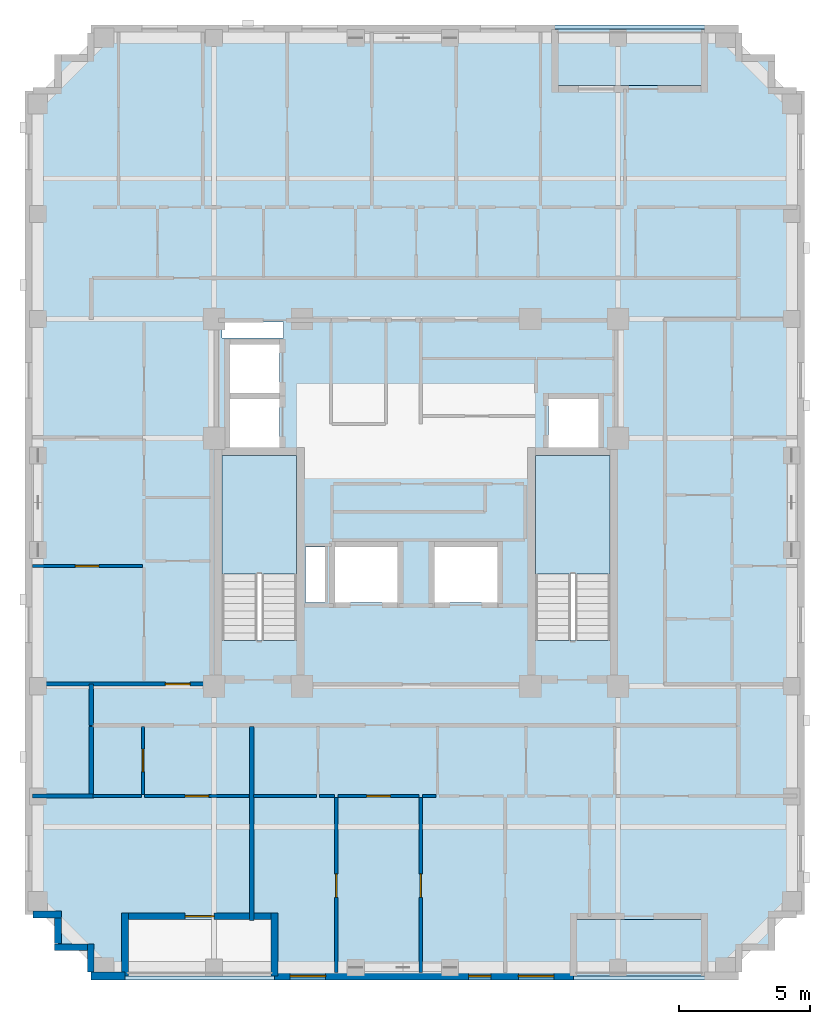
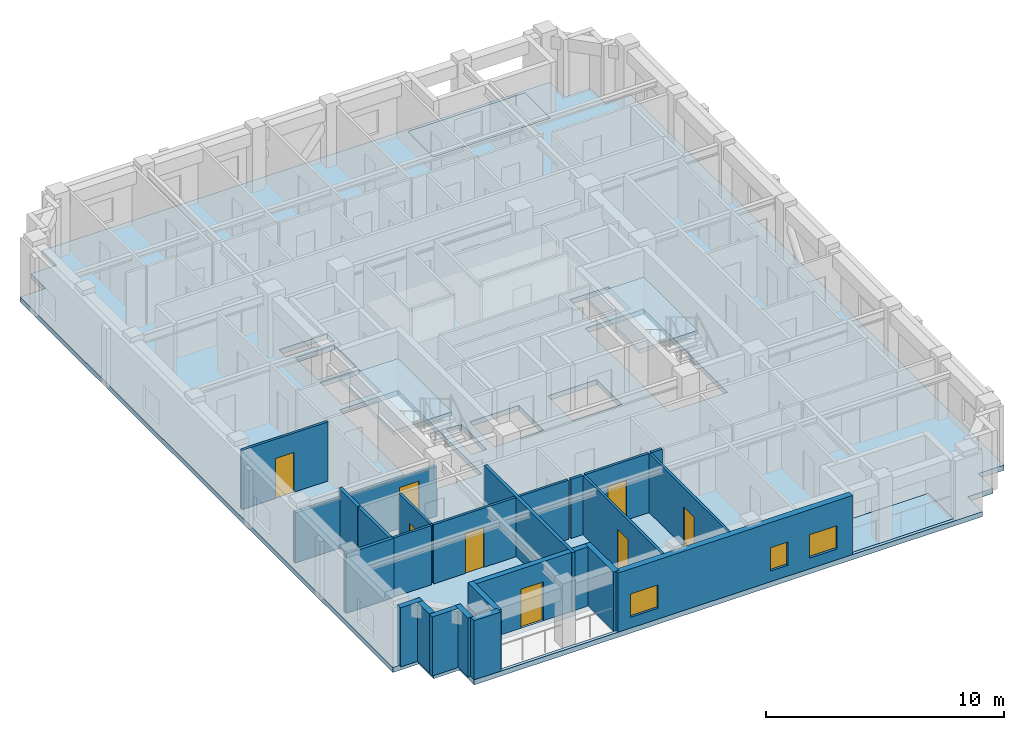
# One storey, part 2 of 11: 24 walls, 8 doors, 5 slabs, 3 windows, 11 openings, 2 elements without a shape of their own.
"""IFC4 building model written with IfcOpenShell, lengths in metres."""

from ifc_helpers import new_model, si_unit, derived_unit, direction, frame, frame_2d, origin, place, context, subcontext, project, spatial, polyline, rectangle, outline, extrude, material, layer, layer_set, type_object, element, fill, aggregate, save


model = new_model("IFC4")

# Units and contexts
model_context = context("Model", 3, precision=1e-05, world=origin(), true_north=direction((0.0, 1.0)))
body_context = subcontext(model_context, "Body", "Model", "MODEL_VIEW")
ifc_project = project(units=[si_unit("LENGTHUNIT", "METRE"), si_unit("AREAUNIT", "SQUARE_METRE"), si_unit("VOLUMEUNIT", "CUBIC_METRE"), si_unit("PLANEANGLEUNIT", "RADIAN"), si_unit("MASSUNIT", "GRAM", prefix="KILO"), derived_unit("THERMALTRANSMITTANCEUNIT", [(si_unit("MASSUNIT", "GRAM", prefix="KILO"), 1), (si_unit("TIMEUNIT", "SECOND"), -3), (si_unit("THERMODYNAMICTEMPERATUREUNIT", "KELVIN"), -1)])], contexts=[model_context])

# Site, building, storey
site_placement = place(None, origin())
site = spatial("IfcSite", under=ifc_project, at=site_placement, CompositionType="ELEMENT")
building_placement = place(site_placement, origin())
building = spatial("IfcBuilding", under=site, at=building_placement, Name="Korrvale Station Residences", CompositionType="ELEMENT")
storey_placement = place(building_placement, frame((0.0, 0.0, 197.5)))
storey = spatial("IfcBuildingStorey", under=building, at=storey_placement, Name="L57", CompositionType="ELEMENT", Elevation=197.5)

# Slabs
ifc_material_1 = material(Name="Concrete C50/60", Category="concrete")
ifc_layer_1 = layer(ifc_material_1, 0.219970703125, Name="Concrete C50/60")
ifc_layer_set_1 = layer_set([ifc_layer_1], Name="Concrete C50/60")
slab_type_1 = type_object("IfcSlabType", Name="SLB-BAL-220", PredefinedType="FLOOR", material=ifc_layer_set_1)
slab_1_placement = place(storey_placement, frame((0.0, 0.0, -0.219970703125)))
element("IfcSlab", 1, at=slab_1_placement, inside=storey, type_object=slab_type_1, Name="L57 Recessed Loggia Balcony Slab BAL-L57-N1", PredefinedType="FLOOR", context=body_context, shape_type="SweptSolid", body=[
    extrude(outline(polyline([(30.800048828125, 37.89990234375), (36.5, 37.89990234375), (36.5, 40.050048828125), (30.800048828125, 40.050048828125), (30.800048828125, 37.89990234375)])), origin(), (0.0, 0.0, 1.0), 0.219970703125),
])
slab_2_placement = place(storey_placement, frame((0.0, 0.0, -0.219970703125)))
element("IfcSlab", 2, at=slab_2_placement, inside=storey, type_object=slab_type_1, Name="L57 Recessed Loggia Balcony Slab BAL-L57-S2", PredefinedType="FLOOR", context=body_context, shape_type="SweptSolid", body=[
    extrude(outline(polyline([(31.5, 3.949951171875), (36.5, 3.949951171875), (36.5, 6.10009765625), (31.5, 6.10009765625), (31.5, 3.949951171875)])), origin(), (0.0, 0.0, 1.0), 0.219970703125),
])
ifc_layer_2 = layer(ifc_material_1, 0.260009765625, Name="Concrete C50/60")
ifc_layer_set_2 = layer_set([ifc_layer_2], Name="Concrete C50/60")
slab_type_2 = type_object("IfcSlabType", Name="SLB-FLR-260", PredefinedType="FLOOR", material=ifc_layer_set_2)
slab_3_placement = place(storey_placement, frame((0.0, 0.0, -0.260009765625)))
element("IfcSlab", 3, at=slab_3_placement, inside=storey, type_object=slab_type_2, Name="L57 Suspended Structural Floor Slab", PredefinedType="FLOOR", context=body_context, shape_type="SweptSolid", body=[
    extrude(outline(polyline([(13.10009765625, 3.800048828125), (37.800048828125, 3.800048828125), (37.800048828125, 5.050048828125), (39.050048828125, 5.050048828125), (39.050048828125, 6.300048828125), (40.300048828125, 6.300048828125), (40.300048828125, 37.699951171875), (39.050048828125, 37.699951171875), (39.050048828125, 38.949951171875), (37.800048828125, 38.949951171875), (37.800048828125, 40.199951171875), (13.10009765625, 40.199951171875), (13.10009765625, 38.949951171875), (11.85009765625, 38.949951171875), (11.85009765625, 37.699951171875), (10.60009765625, 37.699951171875), (10.60009765625, 6.300048828125), (11.85009765625, 6.300048828125), (11.85009765625, 5.050048828125), (13.10009765625, 5.050048828125), (13.10009765625, 3.800048828125)]), holes=[polyline([(20.949951171875, 16.751953125), (20.949951171875, 23.800048828125), (18.10009765625, 23.800048828125), (18.10009765625, 16.751953125), (20.949951171875, 16.751953125)]), polyline([(32.89990234375, 16.751953125), (32.89990234375, 23.800048828125), (30.050048828125, 23.800048828125), (30.050048828125, 16.751953125), (32.89990234375, 16.751953125)]), polyline([(18.39990234375, 24.10009765625), (20.300048828125, 24.10009765625), (20.300048828125, 25.949951171875), (18.39990234375, 25.949951171875), (18.39990234375, 24.10009765625)]), polyline([(18.39990234375, 26.169921875), (20.300048828125, 26.169921875), (20.300048828125, 28.02001953125), (18.39990234375, 28.02001953125), (18.39990234375, 26.169921875)]), polyline([(30.550048828125, 24.10009765625), (32.449951171875, 24.10009765625), (32.449951171875, 25.949951171875), (30.550048828125, 25.949951171875), (30.550048828125, 24.10009765625)]), polyline([(22.39990234375, 18.199951171875), (24.800048828125, 18.199951171875), (24.800048828125, 20.300048828125), (22.39990234375, 20.300048828125), (22.39990234375, 18.199951171875)]), polyline([(26.199951171875, 18.199951171875), (28.60009765625, 18.199951171875), (28.60009765625, 20.300048828125), (26.199951171875, 20.300048828125), (26.199951171875, 18.199951171875)]), polyline([(18.10009765625, 28.280029296875), (20.449951171875, 28.280029296875), (20.449951171875, 28.8798828125), (18.10009765625, 28.8798828125), (18.10009765625, 28.280029296875)]), polyline([(21.280029296875, 18.199951171875), (22.02001953125, 18.199951171875), (22.02001953125, 20.300048828125), (21.280029296875, 20.300048828125), (21.280029296875, 18.199951171875)]), polyline([(14.39990234375, 3.949951171875), (20.10009765625, 3.949951171875), (20.10009765625, 6.10009765625), (14.39990234375, 6.10009765625), (14.39990234375, 3.949951171875)]), polyline([(30.800048828125, 37.89990234375), (36.5, 37.89990234375), (36.5, 40.050048828125), (30.800048828125, 40.050048828125), (30.800048828125, 37.89990234375)]), polyline([(31.5, 3.949951171875), (36.5, 3.949951171875), (36.5, 6.10009765625), (31.5, 6.10009765625), (31.5, 3.949951171875)])]), origin(), (0.0, 0.0, 1.0), 0.260009765625),
])

# Stair, slab
stair_type = type_object("IfcStairType", Name="STR-DL-1350-20R-1650", PredefinedType="HALF_TURN_STAIR", material=ifc_material_1)
stair_1_placement = place(storey_placement, origin())
stair_1 = element("IfcStair", 4, at=stair_1_placement, inside=storey, type_object=stair_type, Name="L57 Exit Stair 1", PredefinedType="HALF_TURN_STAIR")
ifc_layer_3 = layer(ifc_material_1, 0.199951171875, Name="Concrete C50/60")
ifc_layer_set_3 = layer_set([ifc_layer_3], Name="Concrete C50/60")
slab_type_3 = type_object("IfcSlabType", Name="SLB-LND-200", PredefinedType="LANDING", material=ifc_layer_set_3)
slab_4_placement = place(storey_placement, frame((0.0, 0.0, 1.449951171875)))
slab_4 = element("IfcSlab", 5, at=slab_4_placement, type_object=slab_type_3, Name="ST-1 landing 1", PredefinedType="LANDING", context=body_context, shape_type="SweptSolid", body=[
    extrude(outline(polyline([(20.949951171875, 19.27001953125), (20.949951171875, 23.800048828125), (18.10009765625, 23.800048828125), (18.10009765625, 19.27001953125), (20.949951171875, 19.27001953125)])), origin(), (0.0, 0.0, 1.0), 0.199951171875),
])
aggregate(stair_1, [slab_4])

stair_2_placement = place(storey_placement, origin())
stair_2 = element("IfcStair", 6, at=stair_2_placement, inside=storey, type_object=stair_type, Name="L57 Exit Stair 2", PredefinedType="HALF_TURN_STAIR")
slab_5_placement = place(storey_placement, frame((0.0, 0.0, 1.449951171875)))
slab_5 = element("IfcSlab", 7, at=slab_5_placement, type_object=slab_type_3, Name="ST-2 landing 1", PredefinedType="LANDING", context=body_context, shape_type="SweptSolid", body=[
    extrude(outline(polyline([(32.89990234375, 19.27001953125), (32.89990234375, 23.800048828125), (30.050048828125, 23.800048828125), (30.050048828125, 19.27001953125), (32.89990234375, 19.27001953125)])), origin(), (0.0, 0.0, 1.0), 0.199951171875),
])
aggregate(stair_2, [slab_5])

# Wall
ifc_material_2 = material(Name="Precast concrete C45/55", Category="concrete")
ifc_layer_4 = layer(ifc_material_2, 0.260009765625, Name="Precast concrete C45/55")
ifc_layer_set_4 = layer_set([ifc_layer_4], Name="Precast concrete C45/55")
wall_type_1 = type_object("IfcWallType", Name="WAL-EXT-LOG260", PredefinedType="SOLIDWALL", material=ifc_layer_set_4)
wall_1_placement = place(storey_placement, frame((20.10009765625, 3.9599609375, 0.0), z_axis=(0.0, 0.0, 1.0), x_axis=(0.0, 1.0, 0.0)))
element("IfcWall", 8, at=wall_1_placement, inside=storey, type_object=wall_type_1, Name="L57 Recessed Loggia Wall BAL-L57-S1-L", PredefinedType="SOLIDWALL", context=body_context, shape_type="SweptSolid", body=[
    extrude(rectangle(XDim=2.400146484375, YDim=0.260009765625, at=frame_2d((1.2001953125, 0.0))), origin(), (0.0, 0.0, 1.0), 3.0400390625),
])

# Wall, opening, door
wall_2_placement = place(storey_placement, frame((19.966064453125, 6.22998046875, 0.0), z_axis=(0.0, 0.0, 1.0), x_axis=(-1.0, 0.0, 0.0)))
wall_2 = element("IfcWall", 9, at=wall_2_placement, inside=storey, type_object=wall_type_1, Name="L57 Recessed Loggia Wall BAL-L57-S1-B", PredefinedType="SOLIDWALL", context=body_context, shape_type="SweptSolid", body=[
    extrude(rectangle(XDim=5.43212890625, YDim=0.260009765625, at=frame_2d((2.716064453125, 0.0))), origin(), (0.0, 0.0, 1.0), 3.0400390625),
])
opening_1_placement = place(wall_2_placement, frame((2.166015625, 0.0, 0.0)))
opening_1 = element("IfcOpeningElement", 10, at=opening_1_placement, cuts=wall_2, Name="Opening BD-01", PredefinedType="OPENING", context=body_context, shape_type="SweptSolid", body=[
    extrude(rectangle(XDim=1.10009765625, YDim=2.0, at=frame_2d((0.550048828125, 1.0))), frame((0.0, 0.14013671875, 0.0), z_axis=(0.0, -1.0, 0.0), x_axis=(1.0, 0.0, 0.0)), (0.0, 0.0, 1.0), 0.280029296875),
])
ifc_material_3 = material(Name="Exterior thermally broken aluminium glazed balcony door", Category="aluminium")
door_type_1 = type_object("IfcDoorType", Name="DR-EXT-BAL", OperationType="NOTDEFINED", PredefinedType="DOOR", material=ifc_material_3)
door_1_placement = place(opening_1_placement, origin())
door_1 = element("IfcDoor", 11, at=door_1_placement, inside=storey, type_object=door_type_1, Name="L57 Loggia Balcony Door BAL-L57-S1", OperationType="SINGLE_SWING_LEFT", OverallHeight=2.0, OverallWidth=1.10009765625, PredefinedType="DOOR", context=body_context, shape_type="SweptSolid", body=[
    extrude(rectangle(XDim=1.10009765625, YDim=2.0, at=frame_2d((0.550048828125, 1.0))), frame((0.0, 0.02490234375, 0.0), z_axis=(0.0, -1.0, 0.0), x_axis=(1.0, 0.0, 0.0)), (0.0, 0.0, 1.0), 0.050048828125),
])
fill(opening_1, door_1)

# Walls
wall_3_placement = place(storey_placement, frame((14.39990234375, 6.360107421875, 0.0), z_axis=(0.0, 0.0, 1.0), x_axis=(0.0, -1.0, 0.0)))
element("IfcWall", 12, at=wall_3_placement, inside=storey, type_object=wall_type_1, Name="L57 Recessed Loggia Wall BAL-L57-S1-R", PredefinedType="SOLIDWALL", context=body_context, shape_type="SweptSolid", body=[
    extrude(rectangle(XDim=2.400146484375, YDim=0.260009765625, at=frame_2d((1.2001953125, 0.0))), origin(), (0.0, 0.0, 1.0), 3.0400390625),
])
wall_4_placement = place(storey_placement, frame((13.10009765625, 4.10205078125, 0.0), z_axis=(0.0, 0.0, 1.0), x_axis=(0.0, 1.0, 0.0)))
element("IfcWall", 13, at=wall_4_placement, inside=storey, type_object=wall_type_1, Name="L57 Serrated Corner Precast Step SW-1", PredefinedType="SOLIDWALL", context=body_context, shape_type="SweptSolid", body=[
    extrude(rectangle(XDim=1.077880859375, YDim=0.260009765625, at=frame_2d((0.5390625, 0.0))), origin(), (0.0, 0.0, 1.0), 3.0400390625),
])
wall_5_placement = place(storey_placement, frame((12.968017578125, 5.050048828125, 0.0), z_axis=(0.0, 0.0, 1.0), x_axis=(-1.0, 0.0, 0.0)))
element("IfcWall", 14, at=wall_5_placement, inside=storey, type_object=wall_type_1, Name="L57 Serrated Corner Precast Step SW-2", PredefinedType="SOLIDWALL", context=body_context, shape_type="SweptSolid", body=[
    extrude(rectangle(XDim=1.248046875, YDim=0.260009765625, at=frame_2d((0.6240234375, 0.0))), origin(), (0.0, 0.0, 1.0), 3.0400390625),
])
wall_6_placement = place(storey_placement, frame((11.85009765625, 5.181884765625, 0.0), z_axis=(0.0, 0.0, 1.0), x_axis=(0.0, 1.0, 0.0)))
element("IfcWall", 15, at=wall_6_placement, inside=storey, type_object=wall_type_1, Name="L57 Serrated Corner Precast Step SW-3", PredefinedType="SOLIDWALL", context=body_context, shape_type="SweptSolid", body=[
    extrude(rectangle(XDim=0.986083984375, YDim=0.260009765625, at=frame_2d((0.4931640625, 0.0))), origin(), (0.0, 0.0, 1.0), 3.0400390625),
])
wall_7_placement = place(storey_placement, frame((11.97998046875, 6.300048828125, 0.0), z_axis=(0.0, 0.0, 1.0), x_axis=(-1.0, 0.0, 0.0)))
element("IfcWall", 16, at=wall_7_placement, inside=storey, type_object=wall_type_1, Name="L57 Serrated Corner Precast Step SW-4", PredefinedType="SOLIDWALL", context=body_context, shape_type="SweptSolid", body=[
    extrude(rectangle(XDim=1.077880859375, YDim=0.260009765625, at=frame_2d((0.5390625, 0.0))), origin(), (0.0, 0.0, 1.0), 3.0400390625),
])

# Wall, openings, windows
ifc_layer_5 = layer(ifc_material_2, 0.300048828125, Name="Precast concrete C45/55")
ifc_layer_set_5 = layer_set([ifc_layer_5], Name="Precast concrete C45/55")
wall_type_2 = type_object("IfcWallType", Name="WAL-EXT-PC300", PredefinedType="SOLIDWALL", material=ifc_layer_set_5)
wall_8_placement = place(storey_placement, frame((31.5, 3.949951171875, 0.0), z_axis=(0.0, 0.0, 1.0), x_axis=(-1.0, 0.0, 0.0)))
wall_8 = element("IfcWall", 17, at=wall_8_placement, inside=storey, type_object=wall_type_2, Name="L57 South Exterior Precast Wall 2", PredefinedType="SOLIDWALL", context=body_context, shape_type="SweptSolid", body=[
    extrude(rectangle(XDim=11.39990234375, YDim=0.300048828125, at=frame_2d((5.699951171875, 0.0))), origin(), (0.0, 0.0, 1.0), 3.0400390625),
])
opening_2_placement = place(wall_8_placement, frame((9.449951171875, 0.0, 0.550048828125)))
opening_2 = element("IfcOpeningElement", 18, at=opening_2_placement, cuts=wall_8, Name="Opening W-10", PredefinedType="OPENING", context=body_context, shape_type="SweptSolid", body=[
    extrude(rectangle(XDim=1.35009765625, YDim=1.199951171875, at=frame_2d((0.675048828125, 0.60009765625))), frame((0.0, 0.16015625, 0.0), z_axis=(0.0, -1.0, 0.0), x_axis=(1.0, 0.0, 0.0)), (0.0, 0.0, 1.0), 0.320068359375),
])
opening_3_placement = place(wall_8_placement, frame((3.14990234375, 0.0, 0.550048828125)))
opening_3 = element("IfcOpeningElement", 19, at=opening_3_placement, cuts=wall_8, Name="Opening W-11", PredefinedType="OPENING", context=body_context, shape_type="SweptSolid", body=[
    extrude(rectangle(XDim=0.85009765625, YDim=1.199951171875, at=frame_2d((0.425048828125, 0.60009765625))), frame((0.0, 0.16015625, 0.0), z_axis=(0.0, -1.0, 0.0), x_axis=(1.0, 0.0, 0.0)), (0.0, 0.0, 1.0), 0.320068359375),
])
opening_4_placement = place(wall_8_placement, frame((0.75, 0.0, 0.550048828125)))
opening_4 = element("IfcOpeningElement", 20, at=opening_4_placement, cuts=wall_8, Name="Opening W-10", PredefinedType="OPENING", context=body_context, shape_type="SweptSolid", body=[
    extrude(rectangle(XDim=1.35009765625, YDim=1.199951171875, at=frame_2d((0.675048828125, 0.60009765625))), frame((0.0, 0.16015625, 0.0), z_axis=(0.0, -1.0, 0.0), x_axis=(1.0, 0.0, 0.0)), (0.0, 0.0, 1.0), 0.320068359375),
])
ifc_material_4 = material(Name="Thermally broken aluminium frame with triple low-e glazing", Category="aluminium")
window_type_1 = type_object("IfcWindowType", Name="WIN-W10", PartitioningType="SINGLE_PANEL", PredefinedType="WINDOW", material=ifc_material_4)
window_1_placement = place(opening_2_placement, origin())
window_1 = element("IfcWindow", 21, at=window_1_placement, inside=storey, type_object=window_type_1, Name="L57 Punched Window 02", OverallHeight=1.199951171875, OverallWidth=1.35009765625, PartitioningType="SINGLE_PANEL", PredefinedType="WINDOW", context=body_context, shape_type="SweptSolid", body=[
    extrude(rectangle(XDim=1.35009765625, YDim=1.199951171875, at=frame_2d((0.675048828125, 0.60009765625))), frame((0.0, 0.030029296875, 0.0), z_axis=(0.0, -1.0, 0.0), x_axis=(1.0, 0.0, 0.0)), (0.0, 0.0, 1.0), 0.06005859375),
])
fill(opening_2, window_1)
window_2_placement = place(opening_4_placement, origin())
window_2 = element("IfcWindow", 22, at=window_2_placement, inside=storey, type_object=window_type_1, Name="L57 Punched Window 04", OverallHeight=1.199951171875, OverallWidth=1.35009765625, PartitioningType="SINGLE_PANEL", PredefinedType="WINDOW", context=body_context, shape_type="SweptSolid", body=[
    extrude(rectangle(XDim=1.35009765625, YDim=1.199951171875, at=frame_2d((0.675048828125, 0.60009765625))), frame((0.0, 0.030029296875, 0.0), z_axis=(0.0, -1.0, 0.0), x_axis=(1.0, 0.0, 0.0)), (0.0, 0.0, 1.0), 0.06005859375),
])
fill(opening_4, window_2)
window_type_2 = type_object("IfcWindowType", Name="WIN-W11", PartitioningType="SINGLE_PANEL", PredefinedType="WINDOW", material=ifc_material_4)
window_3_placement = place(opening_3_placement, origin())
window_3 = element("IfcWindow", 23, at=window_3_placement, inside=storey, type_object=window_type_2, Name="L57 Punched Window 03", OverallHeight=1.199951171875, OverallWidth=0.85009765625, PartitioningType="SINGLE_PANEL", PredefinedType="WINDOW", context=body_context, shape_type="SweptSolid", body=[
    extrude(rectangle(XDim=0.85009765625, YDim=1.199951171875, at=frame_2d((0.425048828125, 0.60009765625))), frame((0.0, 0.030029296875, 0.0), z_axis=(0.0, -1.0, 0.0), x_axis=(1.0, 0.0, 0.0)), (0.0, 0.0, 1.0), 0.06005859375),
])
fill(opening_3, window_3)

# Wall
wall_9_placement = place(storey_placement, frame((14.39990234375, 3.949951171875, 0.0), z_axis=(0.0, 0.0, 1.0), x_axis=(-1.0, 0.0, 0.0)))
element("IfcWall", 24, at=wall_9_placement, inside=storey, type_object=wall_type_2, Name="L57 South Exterior Precast Wall 3", PredefinedType="SOLIDWALL", context=body_context, shape_type="SweptSolid", body=[
    extrude(rectangle(XDim=1.2998046875, YDim=0.300048828125, at=frame_2d((0.64990234375, 0.0))), origin(), (0.0, 0.0, 1.0), 3.0400390625),
])

# Wall, opening, door
ifc_material_5 = material(Name="Acoustic steel-stud gypsum board partition", Category="steel")
ifc_layer_6 = layer(ifc_material_5, 0.1201171875, Name="Acoustic steel-stud gypsum board partition")
ifc_layer_set_6 = layer_set([ifc_layer_6], Name="Acoustic steel-stud gypsum board partition")
wall_type_3 = type_object("IfcWallType", Name="WAL-PART-125", PredefinedType="PARTITIONING", material=ifc_layer_set_6)
wall_10_placement = place(storey_placement, frame((15.090087890625, 10.8701171875, 0.0), z_axis=(0.0, 0.0, 1.0), x_axis=(0.0, 1.0, 0.0)))
wall_10 = element("IfcWall", 25, at=wall_10_placement, inside=storey, type_object=wall_type_3, Name="L57 Suite Partition U01-V01", PredefinedType="PARTITIONING", context=body_context, shape_type="SweptSolid", body=[
    extrude(rectangle(XDim=2.599853515625, YDim=0.1201171875, at=frame_2d((1.2998046875, 0.0))), origin(), (0.0, 0.0, 1.0), 3.0400390625),
])
opening_5_placement = place(wall_10_placement, frame((0.8701171875, 0.0, 0.0)))
opening_5 = element("IfcOpeningElement", 26, at=opening_5_placement, cuts=wall_10, Name="Opening DB-860", PredefinedType="OPENING", context=body_context, shape_type="SweptSolid", body=[
    extrude(rectangle(XDim=0.860107421875, YDim=2.050048828125, at=frame_2d((0.43017578125, 1.02490234375))), frame((0.0, 0.070068359375, 0.0), z_axis=(0.0, -1.0, 0.0), x_axis=(1.0, 0.0, 0.0)), (0.0, 0.0, 1.0), 0.14013671875),
])
ifc_material_6 = material(Name="Moisture-resistant solid-core bathroom door", Category="timber")
door_type_2 = type_object("IfcDoorType", Name="DR-BATH-860", OperationType="NOTDEFINED", PredefinedType="DOOR", material=ifc_material_6)
door_2_placement = place(opening_5_placement, origin())
door_2 = element("IfcDoor", 27, at=door_2_placement, inside=storey, type_object=door_type_2, Name="L57 Studio Apartment L57-U01 Bathroom Door", OperationType="SINGLE_SWING_RIGHT", OverallHeight=2.050048828125, OverallWidth=0.860107421875, PredefinedType="DOOR", context=body_context, shape_type="SweptSolid", body=[
    extrude(rectangle(XDim=0.860107421875, YDim=2.050048828125, at=frame_2d((0.43017578125, 1.02490234375))), frame((0.0, 0.02490234375, 0.0), z_axis=(0.0, -1.0, 0.0), x_axis=(1.0, 0.0, 0.0)), (0.0, 0.0, 1.0), 0.050048828125),
])
fill(opening_5, door_2)

# Wall
wall_11_placement = place(storey_placement, frame((13.179931640625, 10.81005859375, 0.0), z_axis=(0.0, 0.0, 1.0), x_axis=(1.0, 0.0, 0.0)))
element("IfcWall", 28, at=wall_11_placement, inside=storey, type_object=wall_type_3, Name="L57 Suite Partition U01-H02", PredefinedType="PARTITIONING", context=body_context, shape_type="SweptSolid", body=[
    extrude(rectangle(XDim=1.85009765625, YDim=0.1201171875, at=frame_2d((0.925048828125, 0.0))), origin(), (0.0, 0.0, 1.0), 3.0400390625),
])

# Wall, opening, door
wall_12_placement = place(storey_placement, frame((15.14990234375, 10.81005859375, 0.0), z_axis=(0.0, 0.0, 1.0), x_axis=(1.0, 0.0, 0.0)))
wall_12 = element("IfcWall", 29, at=wall_12_placement, inside=storey, type_object=wall_type_3, Name="L57 Suite Partition U01-H12", PredefinedType="PARTITIONING", context=body_context, shape_type="SweptSolid", body=[
    extrude(rectangle(XDim=3.989013671875, YDim=0.1201171875, at=frame_2d((1.99462890625, 0.0))), origin(), (0.0, 0.0, 1.0), 3.0400390625),
])
opening_6_placement = place(wall_12_placement, frame((1.5439453125, 0.0, 0.0)))
opening_6 = element("IfcOpeningElement", 30, at=opening_6_placement, cuts=wall_12, Name="Opening DI-900", PredefinedType="OPENING", context=body_context, shape_type="SweptSolid", body=[
    extrude(rectangle(XDim=0.89990234375, YDim=2.050048828125, at=frame_2d((0.449951171875, 1.02490234375))), frame((0.0, 0.070068359375, 0.0), z_axis=(0.0, -1.0, 0.0), x_axis=(1.0, 0.0, 0.0)), (0.0, 0.0, 1.0), 0.14013671875),
])
ifc_material_7 = material(Name="Painted solid-core timber interior room door", Category="wood")
door_type_3 = type_object("IfcDoorType", Name="DR-INT-900", OperationType="NOTDEFINED", PredefinedType="DOOR", material=ifc_material_7)
door_3_placement = place(opening_6_placement, origin())
door_3 = element("IfcDoor", 31, at=door_3_placement, inside=storey, type_object=door_type_3, Name="L57 Studio Apartment L57-U01 Kitchen Door", OperationType="SINGLE_SWING_LEFT", OverallHeight=2.050048828125, OverallWidth=0.89990234375, PredefinedType="DOOR", context=body_context, shape_type="SweptSolid", body=[
    extrude(rectangle(XDim=0.89990234375, YDim=2.050048828125, at=frame_2d((0.449951171875, 1.02490234375))), frame((0.0, 0.02490234375, 0.0), z_axis=(0.0, -1.0, 0.0), x_axis=(1.0, 0.0, 0.0)), (0.0, 0.0, 1.0), 0.050048828125),
])
fill(opening_6, door_3)

# Walls
wall_13_placement = place(storey_placement, frame((19.299072265625, 10.81005859375, 0.0), z_axis=(0.0, 0.0, 1.0), x_axis=(1.0, 0.0, 0.0)))
element("IfcWall", 32, at=wall_13_placement, inside=storey, type_object=wall_type_3, Name="L57 Suite Partition U02-H05", PredefinedType="PARTITIONING", context=body_context, shape_type="SweptSolid", body=[
    extrude(rectangle(XDim=2.39990234375, YDim=0.1201171875, at=frame_2d((1.199951171875, 0.0))), origin(), (0.0, 0.0, 1.0), 3.0400390625),
])
wall_14_placement = place(storey_placement, frame((21.819091796875, 10.81005859375, 0.0), z_axis=(0.0, 0.0, 1.0), x_axis=(1.0, 0.0, 0.0)))
element("IfcWall", 33, at=wall_14_placement, inside=storey, type_object=wall_type_3, Name="L57 Suite Partition U02-H15", PredefinedType="PARTITIONING", context=body_context, shape_type="SweptSolid", body=[
    extrude(rectangle(XDim=0.579833984375, YDim=0.1201171875, at=frame_2d((0.2900390625, 0.0))), origin(), (0.0, 0.0, 1.0), 3.0400390625),
])

# Wall, opening, door
wall_15_placement = place(storey_placement, frame((22.51904296875, 10.81005859375, 0.0), z_axis=(0.0, 0.0, 1.0), x_axis=(1.0, 0.0, 0.0)))
wall_15 = element("IfcWall", 34, at=wall_15_placement, inside=storey, type_object=wall_type_3, Name="L57 Suite Partition U02-H16", PredefinedType="PARTITIONING", context=body_context, shape_type="SweptSolid", body=[
    extrude(rectangle(XDim=3.099853515625, YDim=0.1201171875, at=frame_2d((1.5498046875, 0.0))), origin(), (0.0, 0.0, 1.0), 3.0400390625),
])
opening_7_placement = place(wall_15_placement, frame((1.10009765625, 0.0, 0.0)))
opening_7 = element("IfcOpeningElement", 35, at=opening_7_placement, cuts=wall_15, Name="Opening DI-900", PredefinedType="OPENING", context=body_context, shape_type="SweptSolid", body=[
    extrude(rectangle(XDim=0.89990234375, YDim=2.050048828125, at=frame_2d((0.449951171875, 1.02490234375))), frame((0.0, 0.070068359375, 0.0), z_axis=(0.0, -1.0, 0.0), x_axis=(1.0, 0.0, 0.0)), (0.0, 0.0, 1.0), 0.14013671875),
])
door_4_placement = place(opening_7_placement, origin())
door_4 = element("IfcDoor", 36, at=door_4_placement, inside=storey, type_object=door_type_3, Name="L57 Studio Apartment L57-U02 Kitchen Door", OperationType="SINGLE_SWING_RIGHT", OverallHeight=2.050048828125, OverallWidth=0.89990234375, PredefinedType="DOOR", context=body_context, shape_type="SweptSolid", body=[
    extrude(rectangle(XDim=0.89990234375, YDim=2.050048828125, at=frame_2d((0.449951171875, 1.02490234375))), frame((0.0, 0.02490234375, 0.0), z_axis=(0.0, -1.0, 0.0), x_axis=(1.0, 0.0, 0.0)), (0.0, 0.0, 1.0), 0.050048828125),
])
fill(opening_7, door_4)

# Wall
wall_16_placement = place(storey_placement, frame((25.739013671875, 10.81005859375, 0.0), z_axis=(0.0, 0.0, 1.0), x_axis=(1.0, 0.0, 0.0)))
element("IfcWall", 37, at=wall_16_placement, inside=storey, type_object=wall_type_3, Name="L57 Suite Partition U02-H17", PredefinedType="PARTITIONING", context=body_context, shape_type="SweptSolid", body=[
    extrude(rectangle(XDim=0.52001953125, YDim=0.1201171875, at=frame_2d((0.260009765625, 0.0))), origin(), (0.0, 0.0, 1.0), 3.0400390625),
])

# Wall, opening, door
wall_17_placement = place(storey_placement, frame((22.458984375, 4.080078125, 0.0), z_axis=(0.0, 0.0, 1.0), x_axis=(0.0, 1.0, 0.0)))
wall_17 = element("IfcWall", 38, at=wall_17_placement, inside=storey, type_object=wall_type_3, Name="L57 Suite Partition U02-V56", PredefinedType="PARTITIONING", context=body_context, shape_type="SweptSolid", body=[
    extrude(rectangle(XDim=6.669921875, YDim=0.1201171875, at=frame_2d((3.3349609375, 0.0))), origin(), (0.0, 0.0, 1.0), 3.0400390625),
])
opening_8_placement = place(wall_17_placement, frame((2.8701171875, 0.0, 0.0)))
opening_8 = element("IfcOpeningElement", 39, at=opening_8_placement, cuts=wall_17, Name="Opening DI-900", PredefinedType="OPENING", context=body_context, shape_type="SweptSolid", body=[
    extrude(rectangle(XDim=0.89990234375, YDim=2.050048828125, at=frame_2d((0.449951171875, 1.02490234375))), frame((0.0, 0.070068359375, 0.0), z_axis=(0.0, -1.0, 0.0), x_axis=(1.0, 0.0, 0.0)), (0.0, 0.0, 1.0), 0.14013671875),
])
door_5_placement = place(opening_8_placement, origin())
door_5 = element("IfcDoor", 40, at=door_5_placement, inside=storey, type_object=door_type_3, Name="L57 Studio Apartment L57-U02 Formal Dining Room Door", OperationType="SINGLE_SWING_RIGHT", OverallHeight=2.050048828125, OverallWidth=0.89990234375, PredefinedType="DOOR", context=body_context, shape_type="SweptSolid", body=[
    extrude(rectangle(XDim=0.89990234375, YDim=2.050048828125, at=frame_2d((0.449951171875, 1.02490234375))), frame((0.0, 0.02490234375, 0.0), z_axis=(0.0, -1.0, 0.0), x_axis=(1.0, 0.0, 0.0)), (0.0, 0.0, 1.0), 0.050048828125),
])
fill(opening_8, door_5)

wall_18_placement = place(storey_placement, frame((25.678955078125, 4.080078125, 0.0), z_axis=(0.0, 0.0, 1.0), x_axis=(0.0, 1.0, 0.0)))
wall_18 = element("IfcWall", 41, at=wall_18_placement, inside=storey, type_object=wall_type_3, Name="L57 Suite Partition U02-V67", PredefinedType="PARTITIONING", context=body_context, shape_type="SweptSolid", body=[
    extrude(rectangle(XDim=6.669921875, YDim=0.1201171875, at=frame_2d((3.3349609375, 0.0))), origin(), (0.0, 0.0, 1.0), 3.0400390625),
])
opening_9_placement = place(wall_18_placement, frame((2.8701171875, 0.0, 0.0)))
opening_9 = element("IfcOpeningElement", 42, at=opening_9_placement, cuts=wall_18, Name="Opening DI-900", PredefinedType="OPENING", context=body_context, shape_type="SweptSolid", body=[
    extrude(rectangle(XDim=0.89990234375, YDim=2.050048828125, at=frame_2d((0.449951171875, 1.02490234375))), frame((0.0, 0.070068359375, 0.0), z_axis=(0.0, -1.0, 0.0), x_axis=(1.0, 0.0, 0.0)), (0.0, 0.0, 1.0), 0.14013671875),
])
door_6_placement = place(opening_9_placement, origin())
door_6 = element("IfcDoor", 43, at=door_6_placement, inside=storey, type_object=door_type_3, Name="L57 Studio Apartment L57-U02 Walk-In Wardrobe Door", OperationType="SINGLE_SWING_LEFT", OverallHeight=2.050048828125, OverallWidth=0.89990234375, PredefinedType="DOOR", context=body_context, shape_type="SweptSolid", body=[
    extrude(rectangle(XDim=0.89990234375, YDim=2.050048828125, at=frame_2d((0.449951171875, 1.02490234375))), frame((0.0, 0.02490234375, 0.0), z_axis=(0.0, -1.0, 0.0), x_axis=(1.0, 0.0, 0.0)), (0.0, 0.0, 1.0), 0.050048828125),
])
fill(opening_9, door_6)

wall_19_placement = place(storey_placement, frame((10.8798828125, 19.577880859375, 0.0), z_axis=(0.0, 0.0, 1.0), x_axis=(1.0, 0.0, 0.0)))
wall_19 = element("IfcWall", 44, at=wall_19_placement, inside=storey, type_object=wall_type_3, Name="L57 Suite Partition U04-H34", PredefinedType="PARTITIONING", context=body_context, shape_type="SweptSolid", body=[
    extrude(rectangle(XDim=4.190185546875, YDim=0.1201171875, at=frame_2d((2.09521484375, 0.0))), origin(), (0.0, 0.0, 1.0), 3.0400390625),
])
opening_10_placement = place(wall_19_placement, frame((1.6298828125, 0.0, 0.0)))
opening_10 = element("IfcOpeningElement", 45, at=opening_10_placement, cuts=wall_19, Name="Opening DI-900", PredefinedType="OPENING", context=body_context, shape_type="SweptSolid", body=[
    extrude(rectangle(XDim=0.89990234375, YDim=2.050048828125, at=frame_2d((0.449951171875, 1.02490234375))), frame((0.0, 0.070068359375, 0.0), z_axis=(0.0, -1.0, 0.0), x_axis=(1.0, 0.0, 0.0)), (0.0, 0.0, 1.0), 0.14013671875),
])
door_7_placement = place(opening_10_placement, origin())
door_7 = element("IfcDoor", 46, at=door_7_placement, inside=storey, type_object=door_type_3, Name="L57 Apartment 2BR L57-U04 Bedroom 1 Door", OperationType="SINGLE_SWING_LEFT", OverallHeight=2.050048828125, OverallWidth=0.89990234375, PredefinedType="DOOR", context=body_context, shape_type="SweptSolid", body=[
    extrude(rectangle(XDim=0.89990234375, YDim=2.050048828125, at=frame_2d((0.449951171875, 1.02490234375))), frame((0.0, 0.02490234375, 0.0), z_axis=(0.0, -1.0, 0.0), x_axis=(1.0, 0.0, 0.0)), (0.0, 0.0, 1.0), 0.050048828125),
])
fill(opening_10, door_7)

# Walls
ifc_material_8 = material(Name="Fire-rated twin-stud gypsum and mineral wool shaftwall assembly", Category="gypsum")
ifc_layer_7 = layer(ifc_material_8, 0.159912109375, Name="Fire-rated twin-stud gypsum and mineral wool shaftwall assembly")
ifc_layer_set_7 = layer_set([ifc_layer_7], Name="Fire-rated twin-stud gypsum and mineral wool shaftwall assembly")
wall_type_4 = type_object("IfcWallType", Name="WAL-PART-200", PredefinedType="PARTITIONING", material=ifc_layer_set_7)
wall_20_placement = place(storey_placement, frame((13.1201171875, 13.510009765625, 0.0), z_axis=(0.0, 0.0, 1.0), x_axis=(0.0, 1.0, 0.0)))
element("IfcWall", 47, at=wall_20_placement, inside=storey, type_object=wall_type_4, Name="L57 Corridor South West Cap", PredefinedType="PARTITIONING", context=body_context, shape_type="SweptSolid", body=[
    extrude(rectangle(XDim=1.580078125, YDim=0.159912109375, at=frame_2d((0.7900390625, 0.0))), origin(), (0.0, 0.0, 1.0), 3.0400390625),
])
wall_21_placement = place(storey_placement, frame((10.8798828125, 10.81005859375, 0.0), z_axis=(0.0, 0.0, 1.0), x_axis=(1.0, 0.0, 0.0)))
element("IfcWall", 48, at=wall_21_placement, inside=storey, type_object=wall_type_4, Name="L57 Corner Step Wall U01-L", PredefinedType="PARTITIONING", context=body_context, shape_type="SweptSolid", body=[
    extrude(rectangle(XDim=2.340087890625, YDim=0.159912109375, at=frame_2d((1.169921875, 0.0))), origin(), (0.0, 0.0, 1.0), 3.0400390625),
])
wall_22_placement = place(storey_placement, frame((13.1201171875, 10.81005859375, 0.0), z_axis=(0.0, 0.0, 1.0), x_axis=(0.0, 1.0, 0.0)))
element("IfcWall", 49, at=wall_22_placement, inside=storey, type_object=wall_type_4, Name="L57 Corner Step Cheek U01-L", PredefinedType="PARTITIONING", context=body_context, shape_type="SweptSolid", body=[
    extrude(rectangle(XDim=2.659912109375, YDim=0.159912109375, at=frame_2d((1.330078125, 0.0))), origin(), (0.0, 0.0, 1.0), 3.0400390625),
])
wall_23_placement = place(storey_placement, frame((19.239013671875, 6.06005859375, 0.0), z_axis=(0.0, 0.0, 1.0), x_axis=(0.0, 1.0, 0.0)))
element("IfcWall", 50, at=wall_23_placement, inside=storey, type_object=wall_type_4, Name="L57 Demising Wall U02-W", PredefinedType="PARTITIONING", context=body_context, shape_type="SweptSolid", body=[
    extrude(rectangle(XDim=7.409912109375, YDim=0.159912109375, at=frame_2d((3.705078125, 0.0))), origin(), (0.0, 0.0, 1.0), 3.0400390625),
])

# Wall, opening, door
wall_24_placement = place(storey_placement, frame((10.8798828125, 15.080078125, 0.0), z_axis=(0.0, 0.0, 1.0), x_axis=(1.0, 0.0, 0.0)))
wall_24 = element("IfcWall", 51, at=wall_24_placement, inside=storey, type_object=wall_type_4, Name="L57 Side Suite South Entry Wall U04", PredefinedType="PARTITIONING", context=body_context, shape_type="SweptSolid", body=[
    extrude(rectangle(XDim=6.880126953125, YDim=0.159912109375, at=frame_2d((3.43994140625, 0.0))), origin(), (0.0, 0.0, 1.0), 2.555908203125),
])
opening_11_placement = place(wall_24_placement, frame((5.06005859375, 0.0, 0.0)))
opening_11 = element("IfcOpeningElement", 52, at=opening_11_placement, cuts=wall_24, Name="Opening UD-950", PredefinedType="OPENING", context=body_context, shape_type="SweptSolid", body=[
    extrude(rectangle(XDim=0.949951171875, YDim=2.10009765625, at=frame_2d((0.47509765625, 1.050048828125))), frame((0.0, 0.08984375, 0.0), z_axis=(0.0, -1.0, 0.0), x_axis=(1.0, 0.0, 0.0)), (0.0, 0.0, 1.0), 0.179931640625),
])
ifc_material_9 = material(Name="Solid-core acoustic oak apartment entrance door", Category="timber")
door_type_4 = type_object("IfcDoorType", Name="DR-UNIT-950", OperationType="NOTDEFINED", PredefinedType="DOOR", material=ifc_material_9)
door_8_placement = place(opening_11_placement, origin())
door_8 = element("IfcDoor", 53, at=door_8_placement, inside=storey, type_object=door_type_4, Name="L57 Apartment L57-U04 Entrance Door", OperationType="SINGLE_SWING_RIGHT", OverallHeight=2.10009765625, OverallWidth=0.949951171875, PredefinedType="DOOR", context=body_context, shape_type="SweptSolid", body=[
    extrude(rectangle(XDim=0.949951171875, YDim=2.10009765625, at=frame_2d((0.47509765625, 1.050048828125))), frame((0.0, 0.02490234375, 0.0), z_axis=(0.0, -1.0, 0.0), x_axis=(1.0, 0.0, 0.0)), (0.0, 0.0, 1.0), 0.050048828125),
])
fill(opening_11, door_8)

save(model, "model.ifc")
